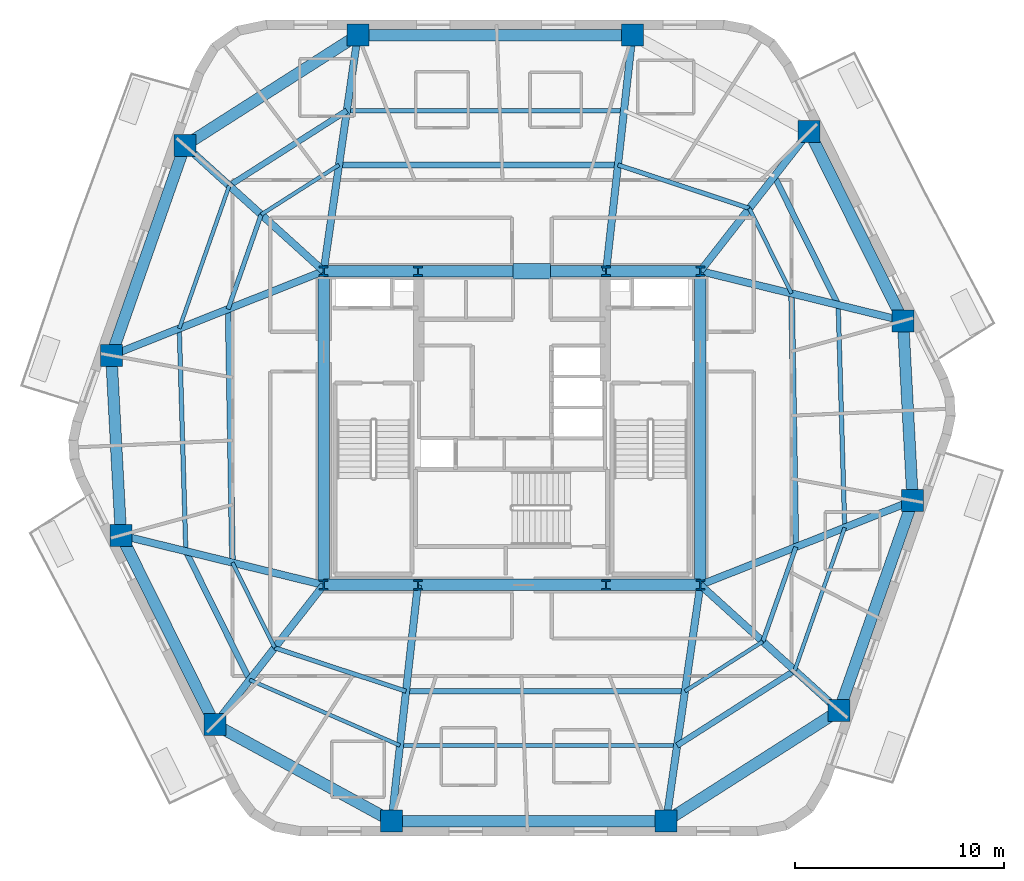
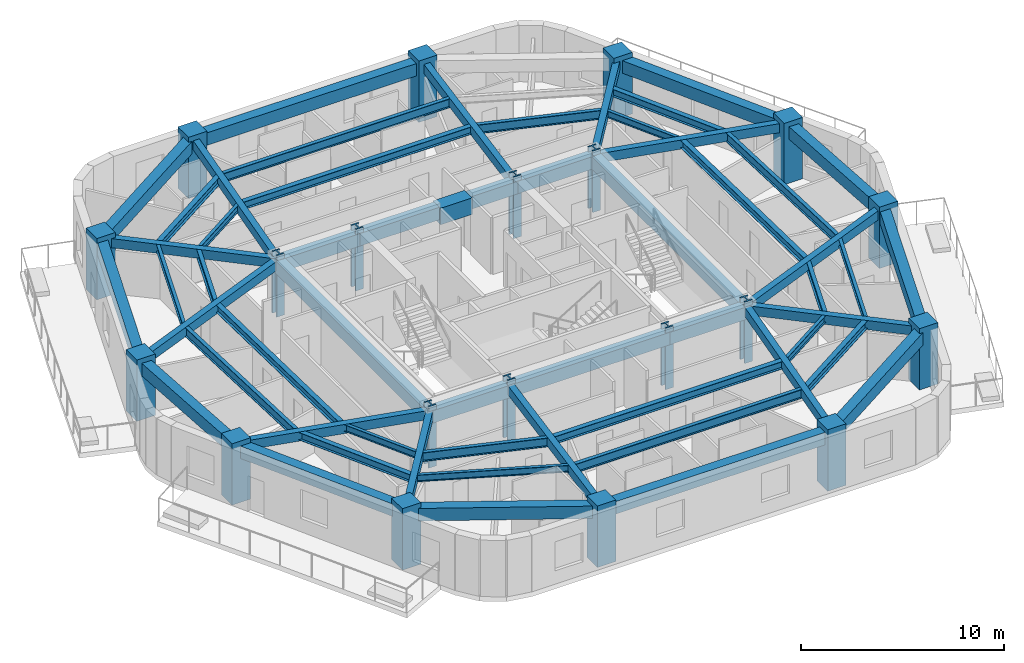
# One storey, part 1 of 10: 55 beams, 20 columns.
"""IFC4 building model written with IfcOpenShell, lengths in metres."""

from ifc_helpers import new_model, si_unit, direction, frame, origin, origin_2d, place, context, subcontext, project, spatial, rectangle, i_section, extrude, material, material_profile, profile_set, type_object, element, save


model = new_model("IFC4")

# Units and contexts
model_context = context("Model", 3, precision=1e-05, world=origin(), true_north=direction((0.0, 1.0)))
body_context = subcontext(model_context, "Body", "Model", "MODEL_VIEW")
ifc_project = project(units=[si_unit("LENGTHUNIT", "METRE"), si_unit("AREAUNIT", "SQUARE_METRE"), si_unit("VOLUMEUNIT", "CUBIC_METRE"), si_unit("PLANEANGLEUNIT", "RADIAN"), si_unit("MASSUNIT", "GRAM", prefix="KILO")], contexts=[model_context])

# Site, building, storey
site_placement = place(None, origin())
site = spatial("IfcSite", under=ifc_project, at=site_placement, CompositionType="ELEMENT")
building_placement = place(site_placement, origin())
building = spatial("IfcBuilding", under=site, at=building_placement, Name="Kilnhurst Terrace Hotel", CompositionType="ELEMENT")
storey_placement = place(building_placement, frame((0.0, 0.0, 183.0)))
storey = spatial("IfcBuildingStorey", under=building, at=storey_placement, Name="L45", CompositionType="ELEMENT", Elevation=183.0)

# Columns
ifc_material_1 = material(Name="Concrete C80/95", Category="concrete")
ifc_material_profile_1 = material_profile(ifc_material_1, rectangle(XDim=1.050048828125, YDim=1.050048828125, at=origin_2d()), Name="RC1050X1050")
ifc_profile_set_1 = profile_set([ifc_material_profile_1], Name="Concrete C80/95")
column_type_1 = type_object("IfcColumnType", Name="COL-RC-1050", PredefinedType="COLUMN", material=ifc_profile_set_1)
for number, where, z_axis, x_axis, name in (
    (1, (-5.7548828125, -18.780029296875, 0.0), (0.0, 0.0, 1.0), (1.0, 0.0, 0.0), "L45 Structural Column PC-F11"),
    (2, (7.368896484375, -18.780029296875, 0.0), (0.0, 0.0, 1.0), (1.0, 0.0, 0.0), "L45 Structural Column PC-F12"),
    (3, (15.633056640625, -13.5048828125, 0.0), (0.0, 0.0, 1.0), (1.0, 0.0, 0.0), "L45 Structural Column PC-F21"),
    (4, (19.14794921875, -3.467041015625, 0.0), (0.0, 0.0, 1.0), (1.0, 0.0, 0.0), "L45 Structural Column PC-F22"),
    (5, (18.68701171875, 5.1240234375, 0.0), (0.0, 0.0, 1.0), (1.0, 0.0, 0.0), "L45 Structural Column PC-F31"),
    (6, (14.2041015625, 14.166015625, 0.0), (0.0, 0.0, 1.0), (1.0, 0.0, 0.0), "L45 Structural Column PC-F32"),
    (7, (5.7548828125, 18.780029296875, 0.0), (0.0, 0.0, 1.0), (1.0, 0.0, 0.0), "L45 Structural Column PC-F41"),
    (8, (-7.368896484375, 18.780029296875, 0.0), (0.0, 0.0, 1.0), (1.0, 0.0, 0.0), "L45 Structural Column PC-F42"),
    (9, (-15.633056640625, 13.5048828125, 0.0), (0.0, 0.0, 1.0), (1.0, 0.0, 0.0), "L45 Structural Column PC-F51"),
    (10, (-19.14794921875, 3.467041015625, 0.0), (0.0, 0.0, 1.0), (1.0, 0.0, 0.0), "L45 Structural Column PC-F52"),
    (11, (-18.68701171875, -5.1240234375, 0.0), (0.0, 0.0, 1.0), (1.0, 0.0, 0.0), "L45 Structural Column PC-F61"),
    (12, (-14.2041015625, -14.166015625, 0.0), (0.0, 0.0, 1.0), (1.0, 0.0, 0.0), "L45 Structural Column PC-F62"),
):
    element("IfcColumn", number, at=place(storey_placement, frame(where, z_axis=z_axis, x_axis=x_axis)), inside=storey, type_object=column_type_1, Name=name, PredefinedType="COLUMN", context=body_context, shape_type="SweptSolid", body=[
        extrude(rectangle(XDim=1.050048828125, YDim=1.050048828125, at=origin_2d()), origin(), (0.0, 0.0, 1.0), 3.699951171875),
    ])
ifc_material_2 = material(Name="Steel ASTM A992 Grade 50", Category="steel")
ifc_material_profile_2 = material_profile(ifc_material_2, i_section(OverallWidth=0.43212890625, OverallDepth=0.497802734375, WebThickness=0.0556640625, FlangeThickness=0.0888671875, at=origin_2d()), Name="W14X500")
ifc_profile_set_2 = profile_set([ifc_material_profile_2], Name="Steel ASTM A992 Grade 50")
column_type_2 = type_object("IfcColumnType", Name="COL-STL-W14X500", PredefinedType="COLUMN", material=ifc_profile_set_2)
for number, where, z_axis, x_axis, name in (
    (13, (-9.0, -7.5, 0.0), (0.0, 0.0, 1.0), (1.0, 0.0, 0.0), "L45 Structural Column CC-SW"),
    (14, (-4.5, -7.5, 0.0), (0.0, 0.0, 1.0), (1.0, 0.0, 0.0), "L45 Structural Column CC-SC1"),
    (15, (4.5, -7.5, 0.0), (0.0, 0.0, 1.0), (1.0, 0.0, 0.0), "L45 Structural Column CC-SC2"),
    (16, (9.0, -7.5, 0.0), (0.0, 0.0, 1.0), (1.0, 0.0, 0.0), "L45 Structural Column CC-SE"),
    (17, (9.0, 7.5, 0.0), (0.0, 0.0, 1.0), (1.0, 0.0, 0.0), "L45 Structural Column CC-NE"),
    (18, (4.5, 7.5, 0.0), (0.0, 0.0, 1.0), (1.0, 0.0, 0.0), "L45 Structural Column CC-NC2"),
    (19, (-4.5, 7.5, 0.0), (0.0, 0.0, 1.0), (1.0, 0.0, 0.0), "L45 Structural Column CC-NC1"),
    (20, (-9.0, 7.5, 0.0), (0.0, 0.0, 1.0), (1.0, 0.0, 0.0), "L45 Structural Column CC-NW"),
):
    element("IfcColumn", number, at=place(storey_placement, frame(where, z_axis=z_axis, x_axis=x_axis)), inside=storey, type_object=column_type_2, Name=name, PredefinedType="COLUMN", context=body_context, shape_type="SweptSolid", body=[
        extrude(i_section(OverallWidth=0.43212890625, OverallDepth=0.497802734375, WebThickness=0.0556640625, FlangeThickness=0.0888671875, at=origin_2d()), origin(), (0.0, 0.0, 1.0), 3.699951171875),
    ])

# Beams
ifc_material_3 = material(Name="Concrete C50/60", Category="concrete")
ifc_material_profile_3 = material_profile(ifc_material_3, rectangle(XDim=0.35009765625, YDim=0.550048828125, at=origin_2d()), Name="RC350X550")
ifc_profile_set_3 = profile_set([ifc_material_profile_3], Name="Concrete C50/60")
beam_type_1 = type_object("IfcBeamType", Name="BM-RAD-350X550", PredefinedType="BEAM", material=ifc_profile_set_3)
beam_1_placement = place(storey_placement, frame((-4.5, -7.5, 3.125), z_axis=(-0.110566099441, -0.993868772854, 0.0), x_axis=(0.993868772854, -0.110566099441, 0.0)))
element("IfcBeam", 21, at=beam_1_placement, inside=storey, type_object=beam_type_1, Name="L45 Radial Floor Beam 1", PredefinedType="BEAM", context=body_context, shape_type="SweptSolid", body=[
    extrude(rectangle(XDim=0.35009765625, YDim=0.550048828125, at=origin_2d()), origin(), (0.0, 0.0, 1.0), 11.349609375),
])
beam_2_placement = place(storey_placement, frame((9.0, -7.5, 3.125), z_axis=(-0.143112538238, -0.989706421824, 0.0), x_axis=(0.989706421824, -0.143112538238, 0.0)))
element("IfcBeam", 22, at=beam_2_placement, inside=storey, type_object=beam_type_1, Name="L45 Radial Floor Beam 2", PredefinedType="BEAM", context=body_context, shape_type="SweptSolid", body=[
    extrude(rectangle(XDim=0.35009765625, YDim=0.550048828125, at=origin_2d()), origin(), (0.0, 0.0, 1.0), 11.3974609375),
])
beam_3_placement = place(storey_placement, frame((9.0, -7.5, 3.125), z_axis=(0.741338585645, -0.671131210296, 0.0), x_axis=(0.671131210296, 0.741338585645, 0.0)))
element("IfcBeam", 23, at=beam_3_placement, inside=storey, type_object=beam_type_1, Name="L45 Radial Floor Beam 3", PredefinedType="BEAM", context=body_context, shape_type="SweptSolid", body=[
    extrude(rectangle(XDim=0.35009765625, YDim=0.550048828125, at=origin_2d()), origin(), (0.0, 0.0, 1.0), 8.947509765625),
])
beam_4_placement = place(storey_placement, frame((9.0, -7.5, 3.125), z_axis=(0.929302373458, 0.369319778356, 0.0), x_axis=(-0.369319778356, 0.929302373458, 0.0)))
element("IfcBeam", 24, at=beam_4_placement, inside=storey, type_object=beam_type_1, Name="L45 Radial Floor Beam 4", PredefinedType="BEAM", context=body_context, shape_type="SweptSolid", body=[
    extrude(rectangle(XDim=0.35009765625, YDim=0.550048828125, at=origin_2d()), origin(), (0.0, 0.0, 1.0), 10.919921875),
])
beam_5_placement = place(storey_placement, frame((9.0, 7.5, 3.125), z_axis=(0.971212767405, -0.238213686486, 0.0), x_axis=(0.238213686486, 0.971212767405, 0.0)))
element("IfcBeam", 25, at=beam_5_placement, inside=storey, type_object=beam_type_1, Name="L45 Radial Floor Beam 5", PredefinedType="BEAM", context=body_context, shape_type="SweptSolid", body=[
    extrude(rectangle(XDim=0.35009765625, YDim=0.550048828125, at=origin_2d()), origin(), (0.0, 0.0, 1.0), 9.97412109375),
])
beam_6_placement = place(storey_placement, frame((9.0, 7.5, 3.125), z_axis=(0.615370616457, 0.78823791104, 0.0), x_axis=(-0.78823791104, 0.615370616457, 0.0)))
element("IfcBeam", 26, at=beam_6_placement, inside=storey, type_object=beam_type_1, Name="L45 Radial Floor Beam 6", PredefinedType="BEAM", context=body_context, shape_type="SweptSolid", body=[
    extrude(rectangle(XDim=0.35009765625, YDim=0.550048828125, at=origin_2d()), origin(), (0.0, 0.0, 1.0), 8.456787109375),
])
beam_7_placement = place(storey_placement, frame((4.5, 7.5, 3.125), z_axis=(0.110566099441, 0.993868772854, 0.0), x_axis=(-0.993868772854, 0.110566099441, 0.0)))
element("IfcBeam", 27, at=beam_7_placement, inside=storey, type_object=beam_type_1, Name="L45 Radial Floor Beam 7", PredefinedType="BEAM", context=body_context, shape_type="SweptSolid", body=[
    extrude(rectangle(XDim=0.35009765625, YDim=0.550048828125, at=origin_2d()), origin(), (0.0, 0.0, 1.0), 11.349609375),
])
beam_8_placement = place(storey_placement, frame((-9.0, 7.5, 3.125), z_axis=(0.143112538238, 0.989706421824, 0.0), x_axis=(-0.989706421824, 0.143112538238, 0.0)))
element("IfcBeam", 28, at=beam_8_placement, inside=storey, type_object=beam_type_1, Name="L45 Radial Floor Beam 8", PredefinedType="BEAM", context=body_context, shape_type="SweptSolid", body=[
    extrude(rectangle(XDim=0.35009765625, YDim=0.550048828125, at=origin_2d()), origin(), (0.0, 0.0, 1.0), 11.3974609375),
])
beam_9_placement = place(storey_placement, frame((-9.0, 7.5, 3.125), z_axis=(-0.741338585645, 0.671131210296, 0.0), x_axis=(-0.671131210296, -0.741338585645, 0.0)))
element("IfcBeam", 29, at=beam_9_placement, inside=storey, type_object=beam_type_1, Name="L45 Radial Floor Beam 9", PredefinedType="BEAM", context=body_context, shape_type="SweptSolid", body=[
    extrude(rectangle(XDim=0.35009765625, YDim=0.550048828125, at=origin_2d()), origin(), (0.0, 0.0, 1.0), 8.947509765625),
])
beam_10_placement = place(storey_placement, frame((-9.0, 7.5, 3.125), z_axis=(-0.929302373458, -0.369319778356, 0.0), x_axis=(0.369319778356, -0.929302373458, 0.0)))
element("IfcBeam", 30, at=beam_10_placement, inside=storey, type_object=beam_type_1, Name="L45 Radial Floor Beam 10", PredefinedType="BEAM", context=body_context, shape_type="SweptSolid", body=[
    extrude(rectangle(XDim=0.35009765625, YDim=0.550048828125, at=origin_2d()), origin(), (0.0, 0.0, 1.0), 10.919921875),
])
beam_11_placement = place(storey_placement, frame((-9.0, -7.5, 3.125), z_axis=(-0.971212767405, 0.238213686486, 0.0), x_axis=(-0.238213686486, -0.971212767405, 0.0)))
element("IfcBeam", 31, at=beam_11_placement, inside=storey, type_object=beam_type_1, Name="L45 Radial Floor Beam 11", PredefinedType="BEAM", context=body_context, shape_type="SweptSolid", body=[
    extrude(rectangle(XDim=0.35009765625, YDim=0.550048828125, at=origin_2d()), origin(), (0.0, 0.0, 1.0), 9.97412109375),
])
beam_12_placement = place(storey_placement, frame((-9.0, -7.5, 3.125), z_axis=(-0.615370616457, -0.78823791104, 0.0), x_axis=(0.78823791104, -0.615370616457, 0.0)))
element("IfcBeam", 32, at=beam_12_placement, inside=storey, type_object=beam_type_1, Name="L45 Radial Floor Beam 12", PredefinedType="BEAM", context=body_context, shape_type="SweptSolid", body=[
    extrude(rectangle(XDim=0.35009765625, YDim=0.550048828125, at=origin_2d()), origin(), (0.0, 0.0, 1.0), 8.456787109375),
])
ifc_material_profile_4 = material_profile(ifc_material_3, rectangle(XDim=0.550048828125, YDim=0.75, at=origin_2d()), Name="RC550X750")
ifc_profile_set_4 = profile_set([ifc_material_profile_4], Name="Concrete C50/60")
beam_type_2 = type_object("IfcBeamType", Name="BM-SPN-550X750", PredefinedType="SPANDREL", material=ifc_profile_set_4)
beam_13_placement = place(storey_placement, frame((-9.0, 7.5, 3.02490234375), z_axis=(1.0, 0.0, 0.0), x_axis=(0.0, 1.0, 0.0)))
element("IfcBeam", 33, at=beam_13_placement, inside=storey, type_object=beam_type_2, Name="L45 Core Tie Beam CC-NW to CC-NC1", PredefinedType="SPANDREL", context=body_context, shape_type="SweptSolid", body=[
    extrude(rectangle(XDim=0.550048828125, YDim=0.75, at=origin_2d()), origin(), (0.0, 0.0, 1.0), 4.5),
])
beam_14_placement = place(storey_placement, frame((-4.5, 7.5, 3.02490234375), z_axis=(1.0, 0.0, 0.0), x_axis=(0.0, 1.0, 0.0)))
element("IfcBeam", 34, at=beam_14_placement, inside=storey, type_object=beam_type_2, Name="L45 Core Tie Beam CC-NC1 to CC-NC2", PredefinedType="SPANDREL", context=body_context, shape_type="SweptSolid", body=[
    extrude(rectangle(XDim=0.550048828125, YDim=0.75, at=origin_2d()), origin(), (0.0, 0.0, 1.0), 9.0),
])
for number, where, z_axis, x_axis, name in (
    (35, (4.5, 7.5, 3.02490234375), (1.0, 0.0, 0.0), (0.0, 1.0, 0.0), "L45 Core Tie Beam CC-NC2 to CC-NE"),
    (36, (-9.0, -7.5, 3.02490234375), (1.0, 0.0, 0.0), (0.0, 1.0, 0.0), "L45 Core Tie Beam CC-SW to CC-SC1"),
):
    element("IfcBeam", number, at=place(storey_placement, frame(where, z_axis=z_axis, x_axis=x_axis)), inside=storey, type_object=beam_type_2, Name=name, PredefinedType="SPANDREL", context=body_context, shape_type="SweptSolid", body=[
        extrude(rectangle(XDim=0.550048828125, YDim=0.75, at=origin_2d()), origin(), (0.0, 0.0, 1.0), 4.5),
    ])
beam_15_placement = place(storey_placement, frame((-4.5, -7.5, 3.02490234375), z_axis=(1.0, 0.0, 0.0), x_axis=(0.0, 1.0, 0.0)))
element("IfcBeam", 37, at=beam_15_placement, inside=storey, type_object=beam_type_2, Name="L45 Core Tie Beam CC-SC1 to CC-SC2", PredefinedType="SPANDREL", context=body_context, shape_type="SweptSolid", body=[
    extrude(rectangle(XDim=0.550048828125, YDim=0.75, at=origin_2d()), origin(), (0.0, 0.0, 1.0), 9.0),
])
beam_16_placement = place(storey_placement, frame((4.5, -7.5, 3.02490234375), z_axis=(1.0, 0.0, 0.0), x_axis=(0.0, 1.0, 0.0)))
element("IfcBeam", 38, at=beam_16_placement, inside=storey, type_object=beam_type_2, Name="L45 Core Tie Beam CC-SC2 to CC-SE", PredefinedType="SPANDREL", context=body_context, shape_type="SweptSolid", body=[
    extrude(rectangle(XDim=0.550048828125, YDim=0.75, at=origin_2d()), origin(), (0.0, 0.0, 1.0), 4.5),
])
for number, where, z_axis, x_axis, name in (
    (39, (-9.0, -7.5, 3.02490234375), (0.0, 1.0, 0.0), (-1.0, 0.0, 0.0), "L45 Core Tie Beam CC-SW to CC-NW"),
    (40, (9.0, -7.5, 3.02490234375), (0.0, 1.0, 0.0), (-1.0, 0.0, 0.0), "L45 Core Tie Beam CC-SE to CC-NE"),
):
    element("IfcBeam", number, at=place(storey_placement, frame(where, z_axis=z_axis, x_axis=x_axis)), inside=storey, type_object=beam_type_2, Name=name, PredefinedType="SPANDREL", context=body_context, shape_type="SweptSolid", body=[
        extrude(rectangle(XDim=0.550048828125, YDim=0.75, at=origin_2d()), origin(), (0.0, 0.0, 1.0), 15.0),
    ])
beam_17_placement = place(storey_placement, frame((-5.7548828125, -18.780029296875, 3.02490234375), z_axis=(1.0, 0.0, 0.0), x_axis=(0.0, 1.0, 0.0)))
element("IfcBeam", 41, at=beam_17_placement, inside=storey, type_object=beam_type_2, Name="L45 Perimeter Spandrel Beam 1", PredefinedType="SPANDREL", context=body_context, shape_type="SweptSolid", body=[
    extrude(rectangle(XDim=0.550048828125, YDim=0.75, at=origin_2d()), origin(), (0.0, 0.0, 1.0), 13.123779296875),
])
beam_18_placement = place(storey_placement, frame((7.368896484375, -18.780029296875, 3.02490234375), z_axis=(0.842915241256, 0.538046369803, 0.0), x_axis=(-0.538046369803, 0.842915241256, 0.0)))
element("IfcBeam", 42, at=beam_18_placement, inside=storey, type_object=beam_type_2, Name="L45 Perimeter Spandrel Beam 2", PredefinedType="SPANDREL", context=body_context, shape_type="SweptSolid", body=[
    extrude(rectangle(XDim=0.550048828125, YDim=0.75, at=origin_2d()), origin(), (0.0, 0.0, 1.0), 9.80419921875),
])
beam_19_placement = place(storey_placement, frame((15.633056640625, -13.5048828125, 3.02490234375), z_axis=(0.330488460168, 0.943810032632, 0.0), x_axis=(-0.943810032632, 0.330488460168, 0.0)))
element("IfcBeam", 43, at=beam_19_placement, inside=storey, type_object=beam_type_2, Name="L45 Perimeter Spandrel Beam 3", PredefinedType="SPANDREL", context=body_context, shape_type="SweptSolid", body=[
    extrude(rectangle(XDim=0.550048828125, YDim=0.75, at=origin_2d()), origin(), (0.0, 0.0, 1.0), 10.635498046875),
])
beam_20_placement = place(storey_placement, frame((19.14794921875, -3.467041015625, 3.02490234375), z_axis=(-0.053576072051, 0.998563770875, 0.0), x_axis=(-0.998563770875, -0.053576072051, 0.0)))
element("IfcBeam", 44, at=beam_20_placement, inside=storey, type_object=beam_type_2, Name="L45 Perimeter Spandrel Beam 4", PredefinedType="SPANDREL", context=body_context, shape_type="SweptSolid", body=[
    extrude(rectangle(XDim=0.550048828125, YDim=0.75, at=origin_2d()), origin(), (0.0, 0.0, 1.0), 8.603515625),
])
beam_21_placement = place(storey_placement, frame((18.68701171875, 5.1240234375, 3.02490234375), z_axis=(-0.444192032261, 0.895931603682, 0.0), x_axis=(-0.895931603682, -0.444192032261, 0.0)))
element("IfcBeam", 45, at=beam_21_placement, inside=storey, type_object=beam_type_2, Name="L45 Perimeter Spandrel Beam 5", PredefinedType="SPANDREL", context=body_context, shape_type="SweptSolid", body=[
    extrude(rectangle(XDim=0.550048828125, YDim=0.75, at=origin_2d()), origin(), (0.0, 0.0, 1.0), 10.09228515625),
])
beam_22_placement = place(storey_placement, frame((5.7548828125, 18.780029296875, 3.02490234375), z_axis=(-1.0, 0.0, 0.0), x_axis=(0.0, -1.0, 0.0)))
element("IfcBeam", 46, at=beam_22_placement, inside=storey, type_object=beam_type_2, Name="L45 Perimeter Spandrel Beam 7", PredefinedType="SPANDREL", context=body_context, shape_type="SweptSolid", body=[
    extrude(rectangle(XDim=0.550048828125, YDim=0.75, at=origin_2d()), origin(), (0.0, 0.0, 1.0), 13.123779296875),
])
beam_23_placement = place(storey_placement, frame((-7.368896484375, 18.780029296875, 3.02490234375), z_axis=(-0.842915241256, -0.538046369803, 0.0), x_axis=(0.538046369803, -0.842915241256, 0.0)))
element("IfcBeam", 47, at=beam_23_placement, inside=storey, type_object=beam_type_2, Name="L45 Perimeter Spandrel Beam 8", PredefinedType="SPANDREL", context=body_context, shape_type="SweptSolid", body=[
    extrude(rectangle(XDim=0.550048828125, YDim=0.75, at=origin_2d()), origin(), (0.0, 0.0, 1.0), 9.80419921875),
])
beam_24_placement = place(storey_placement, frame((-15.633056640625, 13.5048828125, 3.02490234375), z_axis=(-0.330488460168, -0.943810032632, 0.0), x_axis=(0.943810032632, -0.330488460168, 0.0)))
element("IfcBeam", 48, at=beam_24_placement, inside=storey, type_object=beam_type_2, Name="L45 Perimeter Spandrel Beam 9", PredefinedType="SPANDREL", context=body_context, shape_type="SweptSolid", body=[
    extrude(rectangle(XDim=0.550048828125, YDim=0.75, at=origin_2d()), origin(), (0.0, 0.0, 1.0), 10.635498046875),
])
beam_25_placement = place(storey_placement, frame((-19.14794921875, 3.467041015625, 3.02490234375), z_axis=(0.053576072051, -0.998563770875, 0.0), x_axis=(0.998563770875, 0.053576072051, 0.0)))
element("IfcBeam", 49, at=beam_25_placement, inside=storey, type_object=beam_type_2, Name="L45 Perimeter Spandrel Beam 10", PredefinedType="SPANDREL", context=body_context, shape_type="SweptSolid", body=[
    extrude(rectangle(XDim=0.550048828125, YDim=0.75, at=origin_2d()), origin(), (0.0, 0.0, 1.0), 8.603515625),
])
beam_26_placement = place(storey_placement, frame((-18.68701171875, -5.1240234375, 3.02490234375), z_axis=(0.444192032261, -0.895931603682, 0.0), x_axis=(0.895931603682, 0.444192032261, 0.0)))
element("IfcBeam", 50, at=beam_26_placement, inside=storey, type_object=beam_type_2, Name="L45 Perimeter Spandrel Beam 11", PredefinedType="SPANDREL", context=body_context, shape_type="SweptSolid", body=[
    extrude(rectangle(XDim=0.550048828125, YDim=0.75, at=origin_2d()), origin(), (0.0, 0.0, 1.0), 10.09228515625),
])
beam_27_placement = place(storey_placement, frame((-14.2041015625, -14.166015625, 3.02490234375), z_axis=(0.87766189723, -0.479280287672, 0.0), x_axis=(0.479280287672, 0.87766189723, 0.0)))
element("IfcBeam", 51, at=beam_27_placement, inside=storey, type_object=beam_type_2, Name="L45 Perimeter Spandrel Beam 12", PredefinedType="SPANDREL", context=body_context, shape_type="SweptSolid", body=[
    extrude(rectangle(XDim=0.550048828125, YDim=0.75, at=origin_2d()), origin(), (0.0, 0.0, 1.0), 9.626953125),
])
ifc_material_profile_5 = material_profile(ifc_material_2, i_section(OverallWidth=0.180908203125, OverallDepth=0.417236328125, WebThickness=0.010986328125, FlangeThickness=0.018310546875, at=origin_2d()), Name="W16X57")
ifc_profile_set_5 = profile_set([ifc_material_profile_5], Name="Steel ASTM A992 Grade 50")
beam_type_3 = type_object("IfcBeamType", Name="JST-STL-W16X57", PredefinedType="JOIST", material=ifc_profile_set_5)
for number, where, z_axis, x_axis, name in (
    (52, (13.510498046875, -11.58349609375, 3.19091796875), (0.330481239411, 0.943812561051, 0.0), (-0.943812561051, 0.330481239411, 0.0), "L45 Secondary Floor Steel Joist OUT.3"),
    (53, (-13.510498046875, 11.58349609375, 3.19091796875), (-0.330481239411, -0.943812561051, 0.0), (0.943812561051, -0.330481239411, 0.0), "L45 Secondary Floor Steel Joist OUT.9"),
):
    element("IfcBeam", number, at=place(storey_placement, frame(where, z_axis=z_axis, x_axis=x_axis)), inside=storey, type_object=beam_type_3, Name=name, PredefinedType="JOIST", context=body_context, shape_type="SweptSolid", body=[
        extrude(i_section(OverallWidth=0.180908203125, OverallDepth=0.417236328125, WebThickness=0.010986328125, FlangeThickness=0.018310546875, at=origin_2d()), origin(), (0.0, 0.0, 1.0), 7.232177734375),
    ])
beam_28_placement = place(storey_placement, frame((-12.538818359375, -12.032958984375, 3.19091796875), z_axis=(0.916443679054, -0.400163695407, 0.0), x_axis=(0.400163695407, 0.916443679054, 0.0)))
element("IfcBeam", 54, at=beam_28_placement, inside=storey, type_object=beam_type_3, Name="L45 Secondary Floor Steel Joist OUT.12", PredefinedType="JOIST", context=body_context, shape_type="SweptSolid", body=[
    extrude(i_section(OverallWidth=0.180908203125, OverallDepth=0.417236328125, WebThickness=0.010986328125, FlangeThickness=0.018310546875, at=origin_2d()), origin(), (0.0, 0.0, 1.0), 7.84033203125),
])
beam_29_placement = place(storey_placement, frame((8.26611328125, -12.575927734375, 3.19091796875), z_axis=(0.842910995806, 0.53805302076, 0.0), x_axis=(-0.53805302076, 0.842910995806, 0.0)))
element("IfcBeam", 55, at=beam_29_placement, inside=storey, type_object=beam_type_3, Name="L45 Secondary Floor Steel Joist IN.2", PredefinedType="JOIST", context=body_context, shape_type="SweptSolid", body=[
    extrude(i_section(OverallWidth=0.180908203125, OverallDepth=0.417236328125, WebThickness=0.010986328125, FlangeThickness=0.018310546875, at=origin_2d()), origin(), (0.0, 0.0, 1.0), 4.411865234375),
])
beam_30_placement = place(storey_placement, frame((13.359130859375, 6.430908203125, 3.19091796875), z_axis=(-0.444200626094, 0.895927342912, 0.0), x_axis=(-0.895927342912, -0.444200626094, 0.0)))
element("IfcBeam", 56, at=beam_30_placement, inside=storey, type_object=beam_type_3, Name="L45 Secondary Floor Steel Joist IN.5", PredefinedType="JOIST", context=body_context, shape_type="SweptSolid", body=[
    extrude(i_section(OverallWidth=0.180908203125, OverallDepth=0.417236328125, WebThickness=0.010986328125, FlangeThickness=0.018310546875, at=origin_2d()), origin(), (0.0, 0.0, 1.0), 4.54150390625),
])
beam_31_placement = place(storey_placement, frame((-8.26611328125, 12.575927734375, 3.19091796875), z_axis=(-0.842910995806, -0.53805302076, 0.0), x_axis=(0.53805302076, -0.842910995806, 0.0)))
element("IfcBeam", 57, at=beam_31_placement, inside=storey, type_object=beam_type_3, Name="L45 Secondary Floor Steel Joist IN.8", PredefinedType="JOIST", context=body_context, shape_type="SweptSolid", body=[
    extrude(i_section(OverallWidth=0.180908203125, OverallDepth=0.417236328125, WebThickness=0.010986328125, FlangeThickness=0.018310546875, at=origin_2d()), origin(), (0.0, 0.0, 1.0), 4.411865234375),
])
beam_32_placement = place(storey_placement, frame((-13.359130859375, -6.430908203125, 3.19091796875), z_axis=(0.444200626094, -0.895927342912, 0.0), x_axis=(0.895927342912, 0.444200626094, 0.0)))
element("IfcBeam", 58, at=beam_32_placement, inside=storey, type_object=beam_type_3, Name="L45 Secondary Floor Steel Joist IN.11", PredefinedType="JOIST", context=body_context, shape_type="SweptSolid", body=[
    extrude(i_section(OverallWidth=0.180908203125, OverallDepth=0.417236328125, WebThickness=0.010986328125, FlangeThickness=0.018310546875, at=origin_2d()), origin(), (0.0, 0.0, 1.0), 4.54150390625),
])
ifc_material_profile_6 = material_profile(ifc_material_2, i_section(OverallWidth=0.279296875, OverallDepth=0.462890625, WebThickness=0.0107421875, FlangeThickness=0.017333984375, at=origin_2d()), Name="W18X76")
ifc_profile_set_6 = profile_set([ifc_material_profile_6], Name="Steel ASTM A992 Grade 50")
beam_type_4 = type_object("IfcBeamType", Name="JST-STL-W18X76", PredefinedType="JOIST", material=ifc_profile_set_6)
beam_33_placement = place(storey_placement, frame((7.890869140625, -15.17041015625, 3.16796875), z_axis=(0.842927863369, 0.538026595213, 0.0), x_axis=(-0.538026595213, 0.842927863369, 0.0)))
element("IfcBeam", 59, at=beam_33_placement, inside=storey, type_object=beam_type_4, Name="L45 Secondary Floor Steel Joist OUT.2", PredefinedType="JOIST", context=body_context, shape_type="SweptSolid", body=[
    extrude(i_section(OverallWidth=0.279296875, OverallDepth=0.462890625, WebThickness=0.0107421875, FlangeThickness=0.017333984375, at=origin_2d()), origin(), (0.0, 0.0, 1.0), 6.666748046875),
])
beam_34_placement = place(storey_placement, frame((15.587158203125, 5.88427734375, 3.16796875), z_axis=(-0.444180101574, 0.895937518673, 0.0), x_axis=(-0.895937518673, -0.444180101574, 0.0)))
element("IfcBeam", 60, at=beam_34_placement, inside=storey, type_object=beam_type_4, Name="L45 Secondary Floor Steel Joist OUT.5", PredefinedType="JOIST", context=body_context, shape_type="SweptSolid", body=[
    extrude(i_section(OverallWidth=0.279296875, OverallDepth=0.462890625, WebThickness=0.0107421875, FlangeThickness=0.017333984375, at=origin_2d()), origin(), (0.0, 0.0, 1.0), 6.86279296875),
])
beam_35_placement = place(storey_placement, frame((-7.890869140625, 15.17041015625, 3.16796875), z_axis=(-0.842927863369, -0.538026595213, 0.0), x_axis=(0.538026595213, -0.842927863369, 0.0)))
element("IfcBeam", 61, at=beam_35_placement, inside=storey, type_object=beam_type_4, Name="L45 Secondary Floor Steel Joist OUT.8", PredefinedType="JOIST", context=body_context, shape_type="SweptSolid", body=[
    extrude(i_section(OverallWidth=0.279296875, OverallDepth=0.462890625, WebThickness=0.0107421875, FlangeThickness=0.017333984375, at=origin_2d()), origin(), (0.0, 0.0, 1.0), 6.666748046875),
])
beam_36_placement = place(storey_placement, frame((-15.587158203125, -5.88427734375, 3.16796875), z_axis=(0.444180101574, -0.895937518673, 0.0), x_axis=(0.895937518673, 0.444180101574, 0.0)))
element("IfcBeam", 62, at=beam_36_placement, inside=storey, type_object=beam_type_4, Name="L45 Secondary Floor Steel Joist OUT.11", PredefinedType="JOIST", context=body_context, shape_type="SweptSolid", body=[
    extrude(i_section(OverallWidth=0.279296875, OverallDepth=0.462890625, WebThickness=0.0107421875, FlangeThickness=0.017333984375, at=origin_2d()), origin(), (0.0, 0.0, 1.0), 6.86279296875),
])
beam_37_placement = place(storey_placement, frame((-5.064697265625, -12.575927734375, 3.16796875), z_axis=(1.0, 0.0, 0.0), x_axis=(0.0, 1.0, 0.0)))
element("IfcBeam", 63, at=beam_37_placement, inside=storey, type_object=beam_type_4, Name="L45 Secondary Floor Steel Joist IN.1", PredefinedType="JOIST", context=body_context, shape_type="SweptSolid", body=[
    extrude(i_section(OverallWidth=0.279296875, OverallDepth=0.462890625, WebThickness=0.0107421875, FlangeThickness=0.017333984375, at=origin_2d()), origin(), (0.0, 0.0, 1.0), 13.330810546875),
])
beam_38_placement = place(storey_placement, frame((13.566650390625, -5.685302734375, 3.16796875), z_axis=(-0.017124916462, 0.999853357866, 0.0), x_axis=(-0.999853357866, -0.017124916462, 0.0)))
element("IfcBeam", 64, at=beam_38_placement, inside=storey, type_object=beam_type_4, Name="L45 Secondary Floor Steel Joist IN.4", PredefinedType="JOIST", context=body_context, shape_type="SweptSolid", body=[
    extrude(i_section(OverallWidth=0.279296875, OverallDepth=0.462890625, WebThickness=0.0107421875, FlangeThickness=0.017333984375, at=origin_2d()), origin(), (0.0, 0.0, 1.0), 12.117919921875),
])
beam_39_placement = place(storey_placement, frame((5.064697265625, 12.575927734375, 3.16796875), z_axis=(-1.0, 0.0, 0.0), x_axis=(0.0, -1.0, 0.0)))
element("IfcBeam", 65, at=beam_39_placement, inside=storey, type_object=beam_type_4, Name="L45 Secondary Floor Steel Joist IN.7", PredefinedType="JOIST", context=body_context, shape_type="SweptSolid", body=[
    extrude(i_section(OverallWidth=0.279296875, OverallDepth=0.462890625, WebThickness=0.0107421875, FlangeThickness=0.017333984375, at=origin_2d()), origin(), (0.0, 0.0, 1.0), 13.330810546875),
])
beam_40_placement = place(storey_placement, frame((-13.566650390625, 5.685302734375, 3.16796875), z_axis=(0.017124916462, -0.999853357866, 0.0), x_axis=(0.999853357866, 0.017124916462, 0.0)))
element("IfcBeam", 66, at=beam_40_placement, inside=storey, type_object=beam_type_4, Name="L45 Secondary Floor Steel Joist IN.10", PredefinedType="JOIST", context=body_context, shape_type="SweptSolid", body=[
    extrude(i_section(OverallWidth=0.279296875, OverallDepth=0.462890625, WebThickness=0.0107421875, FlangeThickness=0.017333984375, at=origin_2d()), origin(), (0.0, 0.0, 1.0), 12.117919921875),
])
ifc_material_profile_7 = material_profile(ifc_material_2, i_section(OverallWidth=0.2138671875, OverallDepth=0.549072265625, WebThickness=0.0146484375, FlangeThickness=0.023681640625, at=origin_2d()), Name="W21X93")
ifc_profile_set_7 = profile_set([ifc_material_profile_7], Name="Steel ASTM A992 Grade 50")
beam_type_5 = type_object("IfcBeamType", Name="JST-STL-W21X93", PredefinedType="JOIST", material=ifc_profile_set_7)
beam_41_placement = place(storey_placement, frame((-5.353515625, -15.17041015625, 3.125), z_axis=(1.0, 0.0, 0.0), x_axis=(0.0, 1.0, 0.0)))
element("IfcBeam", 67, at=beam_41_placement, inside=storey, type_object=beam_type_5, Name="L45 Secondary Floor Steel Joist OUT.1", PredefinedType="JOIST", context=body_context, shape_type="SweptSolid", body=[
    extrude(i_section(OverallWidth=0.2138671875, OverallDepth=0.549072265625, WebThickness=0.0146484375, FlangeThickness=0.023681640625, at=origin_2d()), origin(), (0.0, 0.0, 1.0), 13.244384765625),
])
beam_42_placement = place(storey_placement, frame((15.900634765625, -4.757568359375, 3.125), z_axis=(-0.029444201298, 0.999566425512, 0.0), x_axis=(-0.999566425512, -0.029444201298, 0.0)))
element("IfcBeam", 68, at=beam_42_placement, inside=storey, type_object=beam_type_5, Name="L45 Secondary Floor Steel Joist OUT.4", PredefinedType="JOIST", context=body_context, shape_type="SweptSolid", body=[
    extrude(i_section(OverallWidth=0.2138671875, OverallDepth=0.549072265625, WebThickness=0.0146484375, FlangeThickness=0.023681640625, at=origin_2d()), origin(), (0.0, 0.0, 1.0), 10.646484375),
])
beam_43_placement = place(storey_placement, frame((5.353515625, 15.17041015625, 3.125), z_axis=(-1.0, 0.0, 0.0), x_axis=(0.0, -1.0, 0.0)))
element("IfcBeam", 69, at=beam_43_placement, inside=storey, type_object=beam_type_5, Name="L45 Secondary Floor Steel Joist OUT.7", PredefinedType="JOIST", context=body_context, shape_type="SweptSolid", body=[
    extrude(i_section(OverallWidth=0.2138671875, OverallDepth=0.549072265625, WebThickness=0.0146484375, FlangeThickness=0.023681640625, at=origin_2d()), origin(), (0.0, 0.0, 1.0), 13.244384765625),
])
beam_44_placement = place(storey_placement, frame((-15.900634765625, 4.757568359375, 3.125), z_axis=(0.029444201298, -0.999566425512, 0.0), x_axis=(0.999566425512, 0.029444201298, 0.0)))
element("IfcBeam", 70, at=beam_44_placement, inside=storey, type_object=beam_type_5, Name="L45 Secondary Floor Steel Joist OUT.10", PredefinedType="JOIST", context=body_context, shape_type="SweptSolid", body=[
    extrude(i_section(OverallWidth=0.2138671875, OverallDepth=0.549072265625, WebThickness=0.0146484375, FlangeThickness=0.023681640625, at=origin_2d()), origin(), (0.0, 0.0, 1.0), 10.646484375),
])
beam_45_placement = place(storey_placement, frame((11.98486328125, -10.2021484375, 3.125), z_axis=(0.330516298629, 0.943800284139, 0.0), x_axis=(-0.943800284139, 0.330516298629, 0.0)))
element("IfcBeam", 71, at=beam_45_placement, inside=storey, type_object=beam_type_5, Name="L45 Secondary Floor Steel Joist IN.3", PredefinedType="JOIST", context=body_context, shape_type="SweptSolid", body=[
    extrude(i_section(OverallWidth=0.2138671875, OverallDepth=0.549072265625, WebThickness=0.0146484375, FlangeThickness=0.023681640625, at=origin_2d()), origin(), (0.0, 0.0, 1.0), 4.785888671875),
])
beam_46_placement = place(storey_placement, frame((11.341796875, 10.499755859375, 3.125), z_axis=(-0.949415572736, 0.314022404051, 0.0), x_axis=(-0.314022404051, -0.949415572736, 0.0)))
element("IfcBeam", 72, at=beam_46_placement, inside=storey, type_object=beam_type_5, Name="L45 Secondary Floor Steel Joist IN.6", PredefinedType="JOIST", context=body_context, shape_type="SweptSolid", body=[
    extrude(i_section(OverallWidth=0.2138671875, OverallDepth=0.549072265625, WebThickness=0.0146484375, FlangeThickness=0.023681640625, at=origin_2d()), origin(), (0.0, 0.0, 1.0), 6.611572265625),
])
beam_47_placement = place(storey_placement, frame((-11.98486328125, 10.2021484375, 3.125), z_axis=(-0.330516298629, -0.943800284139, 0.0), x_axis=(0.943800284139, -0.330516298629, 0.0)))
element("IfcBeam", 73, at=beam_47_placement, inside=storey, type_object=beam_type_5, Name="L45 Secondary Floor Steel Joist IN.9", PredefinedType="JOIST", context=body_context, shape_type="SweptSolid", body=[
    extrude(i_section(OverallWidth=0.2138671875, OverallDepth=0.549072265625, WebThickness=0.0146484375, FlangeThickness=0.023681640625, at=origin_2d()), origin(), (0.0, 0.0, 1.0), 4.785888671875),
])
beam_48_placement = place(storey_placement, frame((-11.341796875, -10.499755859375, 3.125), z_axis=(0.949415572736, -0.314022404051, 0.0), x_axis=(0.314022404051, 0.949415572736, 0.0)))
element("IfcBeam", 74, at=beam_48_placement, inside=storey, type_object=beam_type_5, Name="L45 Secondary Floor Steel Joist IN.12", PredefinedType="JOIST", context=body_context, shape_type="SweptSolid", body=[
    extrude(i_section(OverallWidth=0.2138671875, OverallDepth=0.549072265625, WebThickness=0.0146484375, FlangeThickness=0.023681640625, at=origin_2d()), origin(), (0.0, 0.0, 1.0), 6.611572265625),
])
ifc_material_4 = material(Name="Concrete C60/75", Category="concrete")
ifc_material_profile_8 = material_profile(ifc_material_4, rectangle(XDim=0.75, YDim=1.0, at=origin_2d()), Name="RC750X1000")
ifc_profile_set_8 = profile_set([ifc_material_profile_8], Name="Concrete C60/75")
beam_type_6 = type_object("IfcBeamType", Name="LNT-CB-750X1000", PredefinedType="LINTEL", material=ifc_profile_set_8)
beam_49_placement = place(storey_placement, frame((0.050048828125, 7.5, 2.89990234375), z_axis=(1.0, 0.0, 0.0), x_axis=(0.0, 1.0, 0.0)))
element("IfcBeam", 75, at=beam_49_placement, inside=storey, type_object=beam_type_6, Name="L45 North Core Coupling Link Beam", PredefinedType="LINTEL", context=body_context, shape_type="SweptSolid", body=[
    extrude(rectangle(XDim=0.75, YDim=1.0, at=origin_2d()), origin(), (0.0, 0.0, 1.0), 1.800048828125),
])

save(model, "model.ifc")
